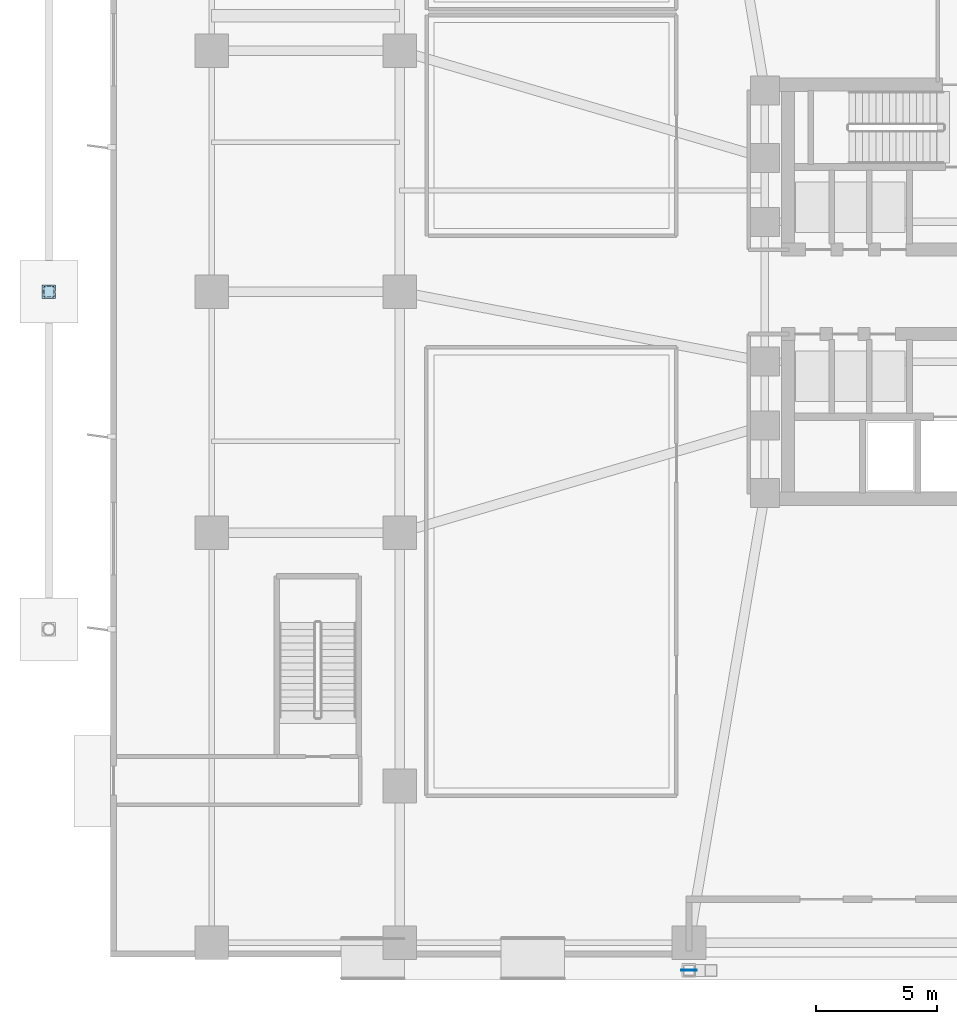
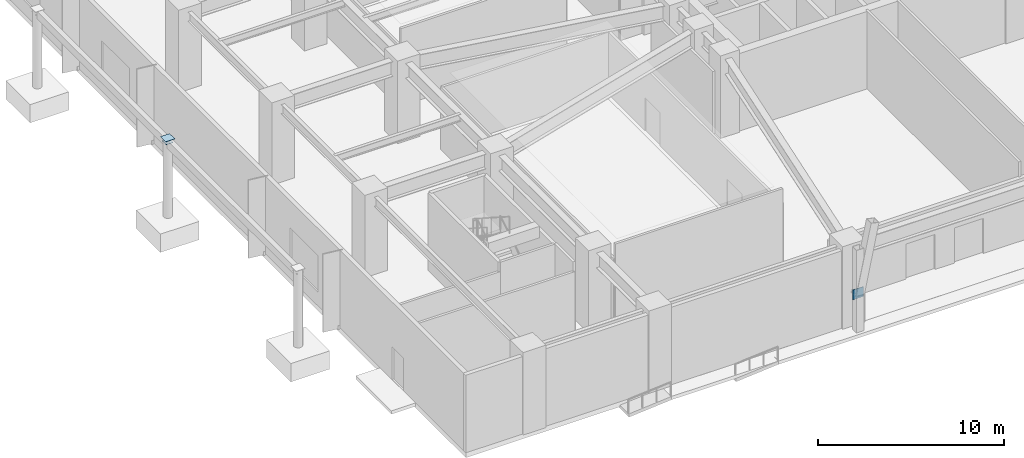
# One storey, part 8 of 20: 3 plates.
"""IFC4 building model written with IfcOpenShell, lengths in metres."""

import ifcopenshell
import ifcopenshell.guid

model = None  # the IFC model being written
_history = None  # IfcOwnerHistory: only IFC2X3 demands one
_inside = {}  # id of a spatial element -> (the spatial element, [elements in it])
_under = {}  # id of a project, library or spatial element -> (it, [spatial elements below it])
_declared = {}  # id of a project -> (the project, [libraries it declares])
_typed = {}  # id of a type object -> (the type object, [elements of that type])
_made_of = {}  # id of a material, layer set ... -> (it, [elements and type objects made of it])


def new_model(schema):
    """Start an empty IFC model of exactly this schema.

    Asked for "IFC4X3", IfcOpenShell would pick the latest addendum, in which some entities
    have other attributes; the version numbers below select the first issue.
    IFC2X3 requires an IfcOwnerHistory on every rooted entity: one is made here for all.
    """
    global model, _history
    if schema == "IFC4X3":
        model = ifcopenshell.file(schema_version=(4, 3, 0, 0))
    else:
        model = ifcopenshell.file(schema=schema)
    _inside.clear()
    _under.clear()
    _declared.clear()
    _typed.clear()
    _made_of.clear()
    _history = None
    if model.schema == "IFC2X3":
        org = make("IfcOrganization", Name="unknown")
        user = make(
            "IfcPersonAndOrganization",
            ThePerson=make("IfcPerson", FamilyName="unknown"),
            TheOrganization=org,
        )
        app = make(
            "IfcApplication",
            ApplicationDeveloper=org,
            Version="unknown",
            ApplicationFullName="unknown",
            ApplicationIdentifier="unknown",
        )
        _history = make(
            "IfcOwnerHistory",
            OwningUser=user,
            OwningApplication=app,
            ChangeAction="ADDED",
            CreationDate=0,
        )
    return model


def make(cls, **values):
    """One entity of the class cls with the attributes given. An attribute that is None is left unset."""
    return model.create_entity(
        cls, **{name: value for name, value in values.items() if value is not None}
    )


def rooted(cls, **values):
    """An entity with a GlobalId (a new one), such as an element, a storey or a relation."""
    return make(cls, GlobalId=ifcopenshell.guid.new(), OwnerHistory=_history, **values)


def si_unit(unit_type, name, prefix=None):
    """IfcSIUnit, for example si_unit("LENGTHUNIT", "METRE", prefix="MILLI")."""
    return make("IfcSIUnit", UnitType=unit_type, Prefix=prefix, Name=name)


def assignment(units):
    """IfcUnitAssignment: the units of a project."""
    return None if units is None else make("IfcUnitAssignment", Units=units)


def point(xyz):
    """IfcCartesianPoint."""
    return None if xyz is None else make("IfcCartesianPoint", Coordinates=xyz)


def direction(xyz):
    """IfcDirection."""
    return None if xyz is None else make("IfcDirection", DirectionRatios=xyz)


def frame(location, z_axis=None, x_axis=None):
    """IfcAxis2Placement3D, a coordinate frame: its origin and axes. An axis left out is left unset."""
    return make(
        "IfcAxis2Placement3D",
        Location=point(location),
        Axis=direction(z_axis),
        RefDirection=direction(x_axis),
    )


def frame_2d(location, x_axis=None):
    """IfcAxis2Placement2D, a coordinate frame in the plane: its origin and x axis."""
    return make(
        "IfcAxis2Placement2D", Location=point(location), RefDirection=direction(x_axis)
    )


def origin():
    """The frame at (0, 0, 0) with its axes left unset."""
    return frame((0.0, 0.0, 0.0))


def origin_2d():
    """The frame at (0, 0) in the plane with its x axis left unset."""
    return frame_2d((0.0, 0.0))


def place(relative_to, where):
    """IfcLocalPlacement: puts the frame where relative to a parent placement (None: the world)."""
    return make(
        "IfcLocalPlacement", PlacementRelTo=relative_to, RelativePlacement=where
    )


def context(
    kind, dimensions, precision=None, world=None, true_north=None, identifier=None
):
    """IfcGeometricRepresentationContext, for example the 3D "Model" context."""
    return make(
        "IfcGeometricRepresentationContext",
        ContextIdentifier=identifier,
        ContextType=kind,
        CoordinateSpaceDimension=dimensions,
        Precision=precision,
        WorldCoordinateSystem=world,
        TrueNorth=true_north,
    )


def subcontext(parent, identifier, kind, view, scale=None):
    """IfcGeometricRepresentationSubContext, for example "Body" below "Model"."""
    return make(
        "IfcGeometricRepresentationSubContext",
        ContextIdentifier=identifier,
        ContextType=kind,
        ParentContext=parent,
        TargetScale=scale,
        TargetView=view,
    )


def project(units=None, contexts=None):
    """IfcProject with its units and contexts."""
    return rooted(
        "IfcProject",
        Name="project",
        RepresentationContexts=contexts,
        UnitsInContext=assignment(units),
    )


def spatial(cls, under=None, at=None, **own):
    """A site, building, storey or space (cls), placed at a placement, below another one or the project."""
    s = rooted(cls, ObjectPlacement=at, **own)
    if under is not None:
        _under.setdefault(under.id(), (under, []))[1].append(s)
    return s


def profile(cls, at=None, kind="AREA", **sizes):
    """A parametric profile (cls). Its sizes go by their IFC names, for example OverallWidth=200.0."""
    return make(cls, ProfileType=kind, Position=at, **sizes)


def rectangle(**sizes):
    """IfcRectangleProfileDef."""
    return profile("IfcRectangleProfileDef", **sizes)


def extrude(swept, where, along, depth):
    """IfcExtrudedAreaSolid: the profile swept, set in the frame where, extruded along a direction by depth."""
    return make(
        "IfcExtrudedAreaSolid",
        SweptArea=swept,
        Position=where,
        ExtrudedDirection=direction(along),
        Depth=depth,
    )


def shape(context_of_items, identifier, shape_type, items):
    """IfcShapeRepresentation: the items that make up one representation, for example the "Body"."""
    return make(
        "IfcShapeRepresentation",
        ContextOfItems=context_of_items,
        RepresentationIdentifier=identifier,
        RepresentationType=shape_type,
        Items=items,
    )


def material(Name=None, Category=None):
    """IfcMaterial."""
    return make("IfcMaterial", Name=Name, Category=Category)


def layer(
    of_material, thickness, ventilated=None, Name=None, Category=None, Priority=None
):
    """IfcMaterialLayer: one layer of a wall or slab, of a material (None: an air gap)."""
    return make(
        "IfcMaterialLayer",
        Material=of_material,
        LayerThickness=thickness,
        IsVentilated=ventilated,
        Name=Name,
        Category=Category,
        Priority=Priority,
    )


def layer_set(layers, Name=None):
    """IfcMaterialLayerSet."""
    return make("IfcMaterialLayerSet", MaterialLayers=layers, LayerSetName=Name)


def made_of(thing, what):
    """Note that an element or type object is made of a material, layer set ...; save() writes the relation."""
    if what is not None:
        _made_of.setdefault(what.id(), (what, []))[1].append(thing)
    return thing


def type_object(cls, material=None, **own):
    """A type object (cls), such as IfcWallType, which elements share."""
    return made_of(rooted(cls, **own), material)


def element(
    cls,
    number,
    at=None,
    inside=None,
    cuts=None,
    type_object=None,
    material=None,
    context=None,
    identifier="Body",
    shape_type=None,
    held_by="IfcProductDefinitionShape",
    body=None,
    shapes=None,
    **own,
):
    """One element of the class cls, such as IfcWall. Its Tag is "e" and its number.

    at: its placement. inside: the storey or other place that contains it. cuts: it is an
    opening in that element (IfcRelVoidsElement). A single representation is given by context,
    identifier, shape_type and body (its items); several are given by shapes. held_by: the class
    of the entity that holds the representations. save() writes the other relations.
    """
    e = rooted(cls, Tag="e%d" % number, ObjectPlacement=at, **own)
    if body is not None:
        shapes = [shape(context, identifier, shape_type, body)]
    if shapes is not None:
        e.Representation = make(held_by, Representations=shapes)
    if inside is not None:
        _inside.setdefault(inside.id(), (inside, []))[1].append(e)
    if cuts is not None:
        rooted(
            "IfcRelVoidsElement", RelatingBuildingElement=cuts, RelatedOpeningElement=e
        )
    if type_object is not None:
        _typed.setdefault(type_object.id(), (type_object, []))[1].append(e)
    return made_of(e, material)


def aggregate(whole, parts):
    """IfcRelAggregates: a whole, such as a stair, and the parts it consists of."""
    return rooted("IfcRelAggregates", RelatingObject=whole, RelatedObjects=parts)


def save(model, path):
    """Write the relations noted so far, then the file.

    IfcRelAggregates (storeys below a building ...), IfcRelContainedInSpatialStructure (elements
    in a storey), IfcRelDefinesByType, IfcRelAssociatesMaterial and IfcRelDeclares: one each for
    every whole, place, type object, material and project.
    """
    for whole, parts in _under.values():
        aggregate(whole, parts)
    for where, things in _inside.values():
        rooted(
            "IfcRelContainedInSpatialStructure",
            RelatedElements=things,
            RelatingStructure=where,
        )
    for kind, things in _typed.values():
        rooted("IfcRelDefinesByType", RelatedObjects=things, RelatingType=kind)
    for what, things in _made_of.values():
        rooted("IfcRelAssociatesMaterial", RelatedObjects=things, RelatingMaterial=what)
    for by, libraries in _declared.values():
        rooted("IfcRelDeclares", RelatingContext=by, RelatedDefinitions=libraries)
    model.write(path)


model = new_model("IFC4")

# Units and contexts
model_context = context("Model", 3, precision=1e-05, world=origin(), true_north=direction((0.0, 1.0)))
body_context = subcontext(model_context, "Body", "Model", "MODEL_VIEW")
ifc_project = project(units=[si_unit("LENGTHUNIT", "METRE"), si_unit("AREAUNIT", "SQUARE_METRE"), si_unit("VOLUMEUNIT", "CUBIC_METRE"), si_unit("PLANEANGLEUNIT", "RADIAN"), si_unit("MASSUNIT", "GRAM", prefix="KILO")], contexts=[model_context])

# Site, building, storey
site_placement = place(None, origin())
site = spatial("IfcSite", under=ifc_project, at=site_placement, CompositionType="ELEMENT")
building_placement = place(site_placement, origin())
building = spatial("IfcBuilding", under=site, at=building_placement, Name="Solmarez Civic Tower", CompositionType="ELEMENT")
storey_placement = place(building_placement, origin())
storey = spatial("IfcBuildingStorey", under=building, at=storey_placement, Name="L00", CompositionType="ELEMENT", Elevation=0.0)

# Plates
ifc_material = material(Name="Steel S355", Category="steel")
ifc_layer_1 = layer(ifc_material, 0.02392578125)
ifc_layer_set_1 = layer_set([ifc_layer_1], Name="Steel S355")
plate_type_1 = type_object("IfcPlateType", Name="PLT-CAP-380", PredefinedType="USERDEFINED", material=ifc_layer_set_1)
plate_1_placement = place(storey_placement, frame((-38.550048828125, 0.0, 4.5380859375), z_axis=(0.0, 0.0, 1.0), x_axis=(1.0, 0.0, 0.0)))
element("IfcPlate", 1, at=plate_1_placement, inside=storey, type_object=plate_type_1, Name="Steel Member End Cap Plate CAP-BM-CANOPY-W1-1", ObjectType="CAP_PLATE", PredefinedType="USERDEFINED", context=body_context, shape_type="SweptSolid", body=[
    extrude(rectangle(XDim=0.419921875, YDim=0.419921875, at=origin_2d()), origin(), (0.0, 0.0, 1.0), 0.02392578125),
])
ifc_layer_2 = layer(ifc_material, 0.028076171875)
ifc_layer_set_2 = layer_set([ifc_layer_2], Name="Steel S355")
plate_type_2 = type_object("IfcPlateType", Name="PLT-CAP-540", PredefinedType="USERDEFINED", material=ifc_layer_set_2)
plate_2_placement = place(storey_placement, frame((-38.550048828125, 0.0, 4.7861328125), z_axis=(0.0, 0.0, 1.0), x_axis=(1.0, 0.0, 0.0)))
element("IfcPlate", 2, at=plate_2_placement, inside=storey, type_object=plate_type_2, Name="Steel Member End Cap Plate CAP-COL-CANOPY-PF-W2-TOP", ObjectType="CAP_PLATE", PredefinedType="USERDEFINED", context=body_context, shape_type="SweptSolid", body=[
    extrude(rectangle(XDim=0.56005859375, YDim=0.56005859375, at=origin_2d()), origin(), (0.0, 0.0, 1.0), 0.028076171875),
])
ifc_layer_3 = layer(ifc_material, 0.031982421875)
ifc_layer_set_3 = layer_set([ifc_layer_3], Name="Steel S355")
plate_type_3 = type_object("IfcPlateType", Name="PLT-GUSSET-32", PredefinedType="USERDEFINED", material=ifc_layer_set_3)
plate_3_placement = place(storey_placement, frame((-12.0, -28.14990234375, 2.074951171875), z_axis=(0.0, 0.0, 1.0), x_axis=(1.0, 0.0, 0.0)))
element("IfcPlate", 3, at=plate_3_placement, inside=storey, type_object=plate_type_3, Name="L00 Structural Gusset Plate GUS-ARCH-NODE-01", ObjectType="GUSSET_PLATE", PredefinedType="USERDEFINED", context=body_context, shape_type="SweptSolid", body=[
    extrude(rectangle(XDim=0.64990234375, YDim=0.031982421875, at=origin_2d()), origin(), (0.0, 0.0, 1.0), 0.64990234375),
])

save(model, "model.ifc")
